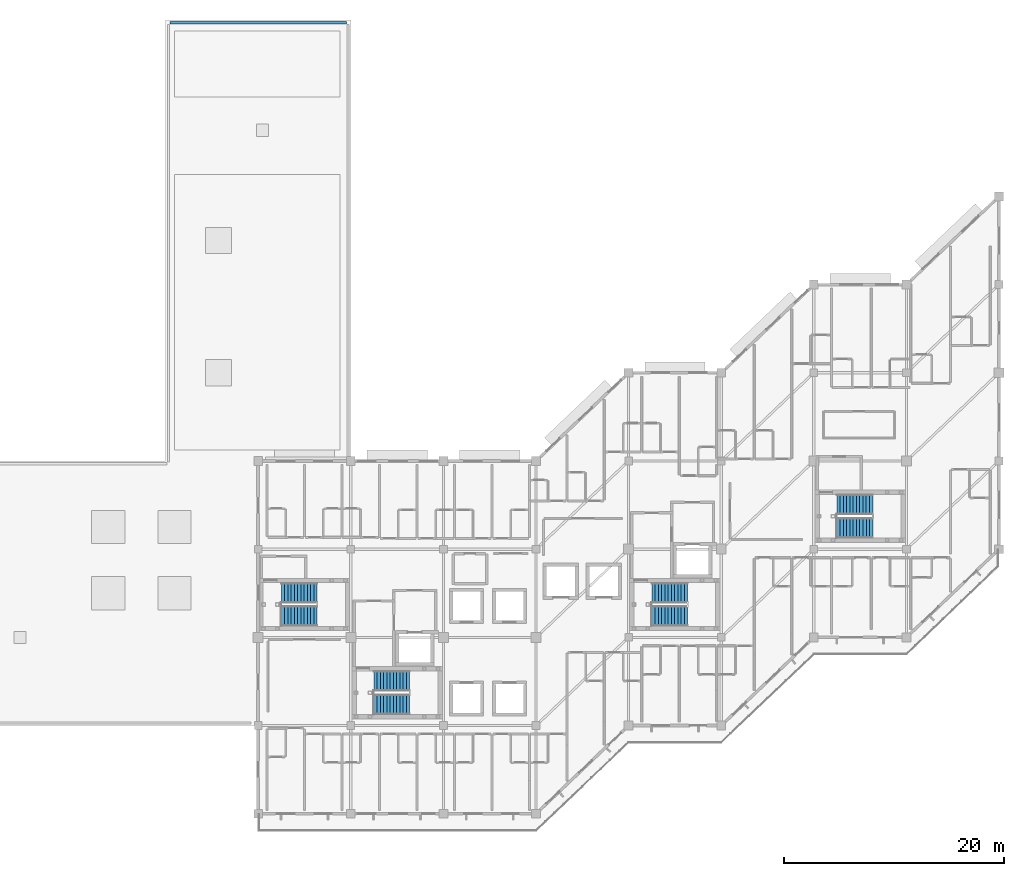
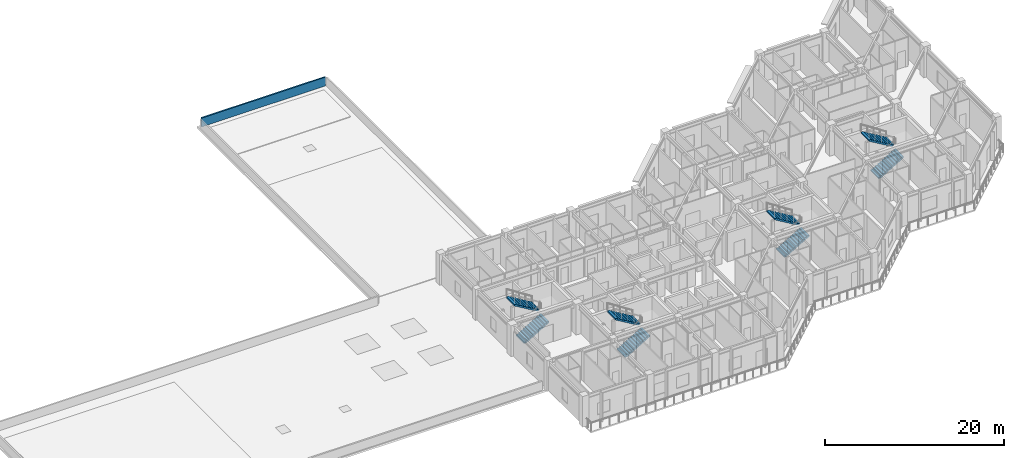
# One storey, part 17 of 22: 8 stair flights, 1 wall, 4 elements without a shape of their own.
"""IFC4 building model written with IfcOpenShell, lengths in metres."""

from ifc_helpers import new_model, si_unit, direction, frame, frame_2d, origin, place, context, subcontext, project, spatial, polyline, rectangle, outline, extrude, material, layer, layer_set, type_object, element, aggregate, save


model = new_model("IFC4")

# Units and contexts
model_context = context("Model", 3, precision=1e-05, world=origin(), true_north=direction((0.0, 1.0)))
body_context = subcontext(model_context, "Body", "Model", "MODEL_VIEW")
ifc_project = project(units=[si_unit("LENGTHUNIT", "METRE"), si_unit("AREAUNIT", "SQUARE_METRE"), si_unit("VOLUMEUNIT", "CUBIC_METRE"), si_unit("PLANEANGLEUNIT", "RADIAN"), si_unit("MASSUNIT", "GRAM", prefix="KILO")], contexts=[model_context])

# Site, building, storey
site_placement = place(None, origin())
site = spatial("IfcSite", under=ifc_project, at=site_placement, CompositionType="ELEMENT")
building_placement = place(site_placement, origin())
building = spatial("IfcBuilding", under=site, at=building_placement, Name="Naruveol Harbour Congress Hotel", CompositionType="ELEMENT")
storey_placement = place(building_placement, frame((0.0, 0.0, 21.0)))
storey = spatial("IfcBuildingStorey", under=building, at=storey_placement, Name="L04", CompositionType="ELEMENT", Elevation=21.0)

# Wall
ifc_material_1 = material(Name="Concrete C40/50", Category="concrete")
ifc_layer = layer(ifc_material_1, 0.18994140625)
ifc_layer_set = layer_set([ifc_layer], Name="Concrete C40/50")
wall_type = type_object("IfcWallType", Name="RC ROOF PARAPET UPSTAND WALL 190", PredefinedType="PARAPET", material=ifc_layer_set)
wall_placement = place(storey_placement, frame((109.590087890625, 71.75, 0.0), z_axis=(0.0, 0.0, 1.0), x_axis=(1.0, 0.0, 0.0)))
element("IfcWall", 1, at=wall_placement, inside=storey, type_object=wall_type, Name="Roof parapet upstand PW-190", PredefinedType="PARAPET", context=body_context, shape_type="SweptSolid", body=[
    extrude(rectangle(XDim=16.02001953125, YDim=0.18994140625, at=frame_2d((8.010009765625, 0.0))), origin(), (0.0, 0.0, 1.0), 1.199951171875),
])

# Stair, stair flights
ifc_material_2 = material(Name="Concrete C40/50", Category="concrete")
stair_type = type_object("IfcStairType", Name="RC DOG LEG ESCAPE STAIR 1800W H4200", PredefinedType="HALF_TURN_STAIR", material=ifc_material_2)
stair_1_placement = place(storey_placement, origin())
stair_1 = element("IfcStair", 2, at=stair_1_placement, inside=storey, type_object=stair_type, Name="Special Escape Stair ST1 L04 to L05", PredefinedType="HALF_TURN_STAIR")
ifc_material_3 = material(Name="Concrete C40/50", Category="concrete")
stair_flight_type = type_object("IfcStairFlightType", Name="RC STRAIGHT STAIR FLIGHT 1800W R12", PredefinedType="STRAIGHT", material=ifc_material_3)
stair_flight_1_placement = place(storey_placement, frame((128.10009765625, 9.919921875, 0.0), z_axis=(0.0, 0.0, 1.0), x_axis=(1.0, 0.0, 0.0)))
stair_flight_1 = element("IfcStairFlight", 3, at=stair_flight_1_placement, type_object=stair_flight_type, Name="ST1 L04 lower flight", NumberOfRisers=12, NumberOfTreads=11, PredefinedType="STRAIGHT", RiserHeight=0.175, TreadLength=0.295, context=body_context, shape_type="SweptSolid", body=[
    extrude(outline(polyline([(0.0, 0.0), (0.0, 0.175048828125), (0.294921875, 0.175048828125), (0.294921875, 0.35009765625), (0.590087890625, 0.35009765625), (0.590087890625, 0.52490234375), (0.885009765625, 0.52490234375), (0.885009765625, 0.699951171875), (1.179931640625, 0.699951171875), (1.179931640625, 0.875), (1.47509765625, 0.875), (1.47509765625, 1.050048828125), (1.77001953125, 1.050048828125), (1.77001953125, 1.22509765625), (2.06494140625, 1.22509765625), (2.06494140625, 1.39990234375), (2.360107421875, 1.39990234375), (2.360107421875, 1.574951171875), (2.655029296875, 1.574951171875), (2.655029296875, 1.75), (2.949951171875, 1.75), (2.949951171875, 1.925048828125), (3.2451171875, 1.925048828125), (3.2451171875, 2.10009765625), (3.2451171875, 1.739013671875), (0.3134765625, 0.0), (0.0, 0.0)])), frame((0.0, 0.89990234375, 0.0), z_axis=(0.0, -1.0, 0.0), x_axis=(1.0, 0.0, 0.0)), (0.0, 0.0, 1.0), 1.800048828125),
])
stair_flight_2_placement = place(storey_placement, frame((131.344970703125, 12.0400390625, 2.10009765625), z_axis=(0.0, 0.0, 1.0), x_axis=(-1.0, 0.0, 0.0)))
stair_flight_2 = element("IfcStairFlight", 4, at=stair_flight_2_placement, type_object=stair_flight_type, Name="ST1 L04 upper flight", NumberOfRisers=12, NumberOfTreads=11, PredefinedType="STRAIGHT", RiserHeight=0.175, TreadLength=0.295, context=body_context, shape_type="SweptSolid", body=[
    extrude(outline(polyline([(0.0, 0.0), (0.0, 0.175048828125), (0.294921875, 0.175048828125), (0.294921875, 0.35009765625), (0.590087890625, 0.35009765625), (0.590087890625, 0.52490234375), (0.885009765625, 0.52490234375), (0.885009765625, 0.699951171875), (1.179931640625, 0.699951171875), (1.179931640625, 0.875), (1.47509765625, 0.875), (1.47509765625, 1.050048828125), (1.77001953125, 1.050048828125), (1.77001953125, 1.22509765625), (2.06494140625, 1.22509765625), (2.06494140625, 1.39990234375), (2.360107421875, 1.39990234375), (2.360107421875, 1.574951171875), (2.655029296875, 1.574951171875), (2.655029296875, 1.75), (2.949951171875, 1.75), (2.949951171875, 1.925048828125), (3.2451171875, 1.925048828125), (3.2451171875, 2.10009765625), (3.2451171875, 1.739013671875), (0.3134765625, 0.0), (0.0, 0.0)])), frame((0.0, 0.89990234375, 0.0), z_axis=(0.0, -1.0, 0.0), x_axis=(1.0, 0.0, 0.0)), (0.0, 0.0, 1.0), 1.800048828125),
])
aggregate(stair_1, [stair_flight_1, stair_flight_2])

stair_2_placement = place(storey_placement, origin())
stair_2 = element("IfcStair", 5, at=stair_2_placement, inside=storey, type_object=stair_type, Name="Special Escape Stair ST2 L04 to L05", PredefinedType="HALF_TURN_STAIR")
stair_flight_3_placement = place(storey_placement, frame((153.300048828125, 17.919921875, 0.0), z_axis=(0.0, 0.0, 1.0), x_axis=(1.0, 0.0, 0.0)))
stair_flight_3 = element("IfcStairFlight", 6, at=stair_flight_3_placement, type_object=stair_flight_type, Name="ST2 L04 lower flight", NumberOfRisers=12, NumberOfTreads=11, PredefinedType="STRAIGHT", RiserHeight=0.175, TreadLength=0.295, context=body_context, shape_type="SweptSolid", body=[
    extrude(outline(polyline([(0.0, 0.0), (0.0, 0.175048828125), (0.294921875, 0.175048828125), (0.294921875, 0.35009765625), (0.590087890625, 0.35009765625), (0.590087890625, 0.52490234375), (0.885009765625, 0.52490234375), (0.885009765625, 0.699951171875), (1.179931640625, 0.699951171875), (1.179931640625, 0.875), (1.47509765625, 0.875), (1.47509765625, 1.050048828125), (1.77001953125, 1.050048828125), (1.77001953125, 1.22509765625), (2.06494140625, 1.22509765625), (2.06494140625, 1.39990234375), (2.360107421875, 1.39990234375), (2.360107421875, 1.574951171875), (2.655029296875, 1.574951171875), (2.655029296875, 1.75), (2.949951171875, 1.75), (2.949951171875, 1.925048828125), (3.2451171875, 1.925048828125), (3.2451171875, 2.10009765625), (3.2451171875, 1.739013671875), (0.3134765625, 0.0), (0.0, 0.0)])), frame((0.0, 0.89990234375, 0.0), z_axis=(0.0, -1.0, 0.0), x_axis=(1.0, 0.0, 0.0)), (0.0, 0.0, 1.0), 1.800048828125),
])
stair_flight_4_placement = place(storey_placement, frame((156.544921875, 20.0400390625, 2.10009765625), z_axis=(0.0, 0.0, 1.0), x_axis=(-1.0, 0.0, 0.0)))
stair_flight_4 = element("IfcStairFlight", 7, at=stair_flight_4_placement, type_object=stair_flight_type, Name="ST2 L04 upper flight", NumberOfRisers=12, NumberOfTreads=11, PredefinedType="STRAIGHT", RiserHeight=0.175, TreadLength=0.295, context=body_context, shape_type="SweptSolid", body=[
    extrude(outline(polyline([(0.0, 0.0), (0.0, 0.175048828125), (0.294921875, 0.175048828125), (0.294921875, 0.35009765625), (0.590087890625, 0.35009765625), (0.590087890625, 0.52490234375), (0.885009765625, 0.52490234375), (0.885009765625, 0.699951171875), (1.179931640625, 0.699951171875), (1.179931640625, 0.875), (1.47509765625, 0.875), (1.47509765625, 1.050048828125), (1.77001953125, 1.050048828125), (1.77001953125, 1.22509765625), (2.06494140625, 1.22509765625), (2.06494140625, 1.39990234375), (2.360107421875, 1.39990234375), (2.360107421875, 1.574951171875), (2.655029296875, 1.574951171875), (2.655029296875, 1.75), (2.949951171875, 1.75), (2.949951171875, 1.925048828125), (3.2451171875, 1.925048828125), (3.2451171875, 2.10009765625), (3.2451171875, 1.739013671875), (0.3134765625, 0.0), (0.0, 0.0)])), frame((0.0, 0.89990234375, 0.0), z_axis=(0.0, -1.0, 0.0), x_axis=(1.0, 0.0, 0.0)), (0.0, 0.0, 1.0), 1.800048828125),
])
aggregate(stair_2, [stair_flight_3, stair_flight_4])

stair_3_placement = place(storey_placement, origin())
stair_3 = element("IfcStair", 8, at=stair_3_placement, inside=storey, type_object=stair_type, Name="Special Escape Stair ST3 L04 to L05", PredefinedType="HALF_TURN_STAIR")
stair_flight_5_placement = place(storey_placement, frame((119.699951171875, 17.919921875, 0.0), z_axis=(0.0, 0.0, 1.0), x_axis=(1.0, 0.0, 0.0)))
stair_flight_5 = element("IfcStairFlight", 9, at=stair_flight_5_placement, type_object=stair_flight_type, Name="ST3 L04 lower flight", NumberOfRisers=12, NumberOfTreads=11, PredefinedType="STRAIGHT", RiserHeight=0.175, TreadLength=0.295, context=body_context, shape_type="SweptSolid", body=[
    extrude(outline(polyline([(0.0, 0.0), (0.0, 0.175048828125), (0.294921875, 0.175048828125), (0.294921875, 0.35009765625), (0.590087890625, 0.35009765625), (0.590087890625, 0.52490234375), (0.885009765625, 0.52490234375), (0.885009765625, 0.699951171875), (1.179931640625, 0.699951171875), (1.179931640625, 0.875), (1.47509765625, 0.875), (1.47509765625, 1.050048828125), (1.77001953125, 1.050048828125), (1.77001953125, 1.22509765625), (2.06494140625, 1.22509765625), (2.06494140625, 1.39990234375), (2.360107421875, 1.39990234375), (2.360107421875, 1.574951171875), (2.655029296875, 1.574951171875), (2.655029296875, 1.75), (2.949951171875, 1.75), (2.949951171875, 1.925048828125), (3.2451171875, 1.925048828125), (3.2451171875, 2.10009765625), (3.2451171875, 1.739013671875), (0.3134765625, 0.0), (0.0, 0.0)])), frame((0.0, 0.89990234375, 0.0), z_axis=(0.0, -1.0, 0.0), x_axis=(1.0, 0.0, 0.0)), (0.0, 0.0, 1.0), 1.800048828125),
])
stair_flight_6_placement = place(storey_placement, frame((122.945068359375, 20.0400390625, 2.10009765625), z_axis=(0.0, 0.0, 1.0), x_axis=(-1.0, 0.0, 0.0)))
stair_flight_6 = element("IfcStairFlight", 10, at=stair_flight_6_placement, type_object=stair_flight_type, Name="ST3 L04 upper flight", NumberOfRisers=12, NumberOfTreads=11, PredefinedType="STRAIGHT", RiserHeight=0.175, TreadLength=0.295, context=body_context, shape_type="SweptSolid", body=[
    extrude(outline(polyline([(0.0, 0.0), (0.0, 0.175048828125), (0.294921875, 0.175048828125), (0.294921875, 0.35009765625), (0.590087890625, 0.35009765625), (0.590087890625, 0.52490234375), (0.885009765625, 0.52490234375), (0.885009765625, 0.699951171875), (1.179931640625, 0.699951171875), (1.179931640625, 0.875), (1.47509765625, 0.875), (1.47509765625, 1.050048828125), (1.77001953125, 1.050048828125), (1.77001953125, 1.22509765625), (2.06494140625, 1.22509765625), (2.06494140625, 1.39990234375), (2.360107421875, 1.39990234375), (2.360107421875, 1.574951171875), (2.655029296875, 1.574951171875), (2.655029296875, 1.75), (2.949951171875, 1.75), (2.949951171875, 1.925048828125), (3.2451171875, 1.925048828125), (3.2451171875, 2.10009765625), (3.2451171875, 1.739013671875), (0.3134765625, 0.0), (0.0, 0.0)])), frame((0.0, 0.89990234375, 0.0), z_axis=(0.0, -1.0, 0.0), x_axis=(1.0, 0.0, 0.0)), (0.0, 0.0, 1.0), 1.800048828125),
])
aggregate(stair_3, [stair_flight_5, stair_flight_6])

stair_4_placement = place(storey_placement, origin())
stair_4 = element("IfcStair", 11, at=stair_4_placement, inside=storey, type_object=stair_type, Name="Special Escape Stair ST4 L04 to L05", PredefinedType="HALF_TURN_STAIR")
stair_flight_7_placement = place(storey_placement, frame((170.10009765625, 25.919921875, 0.0), z_axis=(0.0, 0.0, 1.0), x_axis=(1.0, 0.0, 0.0)))
stair_flight_7 = element("IfcStairFlight", 12, at=stair_flight_7_placement, type_object=stair_flight_type, Name="ST4 L04 lower flight", NumberOfRisers=12, NumberOfTreads=11, PredefinedType="STRAIGHT", RiserHeight=0.175, TreadLength=0.295, context=body_context, shape_type="SweptSolid", body=[
    extrude(outline(polyline([(0.0, 0.0), (0.0, 0.175048828125), (0.294921875, 0.175048828125), (0.294921875, 0.35009765625), (0.590087890625, 0.35009765625), (0.590087890625, 0.52490234375), (0.885009765625, 0.52490234375), (0.885009765625, 0.699951171875), (1.179931640625, 0.699951171875), (1.179931640625, 0.875), (1.47509765625, 0.875), (1.47509765625, 1.050048828125), (1.77001953125, 1.050048828125), (1.77001953125, 1.22509765625), (2.06494140625, 1.22509765625), (2.06494140625, 1.39990234375), (2.360107421875, 1.39990234375), (2.360107421875, 1.574951171875), (2.655029296875, 1.574951171875), (2.655029296875, 1.75), (2.949951171875, 1.75), (2.949951171875, 1.925048828125), (3.2451171875, 1.925048828125), (3.2451171875, 2.10009765625), (3.2451171875, 1.739013671875), (0.3134765625, 0.0), (0.0, 0.0)])), frame((0.0, 0.89990234375, 0.0), z_axis=(0.0, -1.0, 0.0), x_axis=(1.0, 0.0, 0.0)), (0.0, 0.0, 1.0), 1.800048828125),
])
stair_flight_8_placement = place(storey_placement, frame((173.344970703125, 28.0400390625, 2.10009765625), z_axis=(0.0, 0.0, 1.0), x_axis=(-1.0, 0.0, 0.0)))
stair_flight_8 = element("IfcStairFlight", 13, at=stair_flight_8_placement, type_object=stair_flight_type, Name="ST4 L04 upper flight", NumberOfRisers=12, NumberOfTreads=11, PredefinedType="STRAIGHT", RiserHeight=0.175, TreadLength=0.295, context=body_context, shape_type="SweptSolid", body=[
    extrude(outline(polyline([(0.0, 0.0), (0.0, 0.175048828125), (0.294921875, 0.175048828125), (0.294921875, 0.35009765625), (0.590087890625, 0.35009765625), (0.590087890625, 0.52490234375), (0.885009765625, 0.52490234375), (0.885009765625, 0.699951171875), (1.179931640625, 0.699951171875), (1.179931640625, 0.875), (1.47509765625, 0.875), (1.47509765625, 1.050048828125), (1.77001953125, 1.050048828125), (1.77001953125, 1.22509765625), (2.06494140625, 1.22509765625), (2.06494140625, 1.39990234375), (2.360107421875, 1.39990234375), (2.360107421875, 1.574951171875), (2.655029296875, 1.574951171875), (2.655029296875, 1.75), (2.949951171875, 1.75), (2.949951171875, 1.925048828125), (3.2451171875, 1.925048828125), (3.2451171875, 2.10009765625), (3.2451171875, 1.739013671875), (0.3134765625, 0.0), (0.0, 0.0)])), frame((0.0, 0.89990234375, 0.0), z_axis=(0.0, -1.0, 0.0), x_axis=(1.0, 0.0, 0.0)), (0.0, 0.0, 1.0), 1.800048828125),
])
aggregate(stair_4, [stair_flight_7, stair_flight_8])

save(model, "model.ifc")
